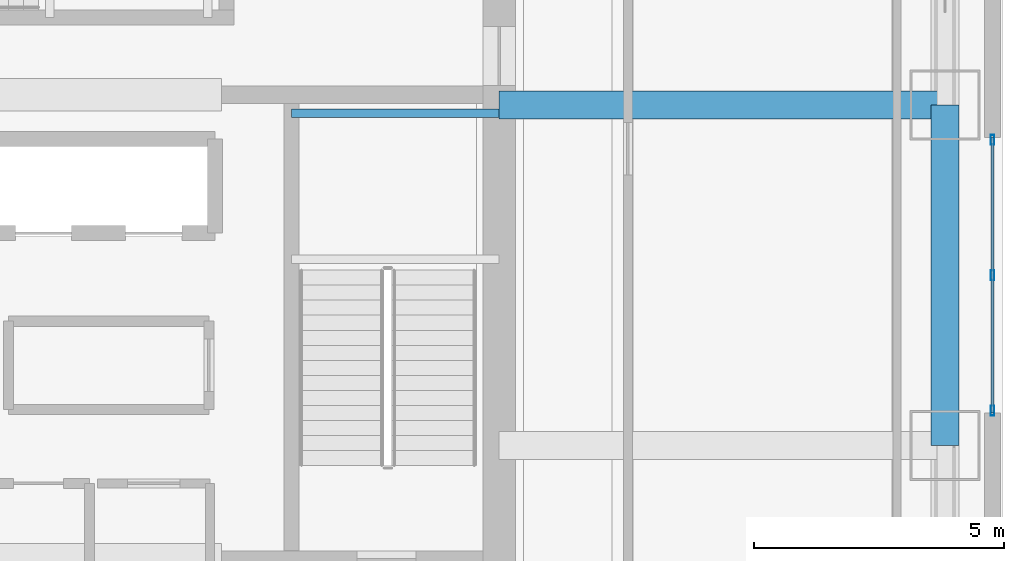
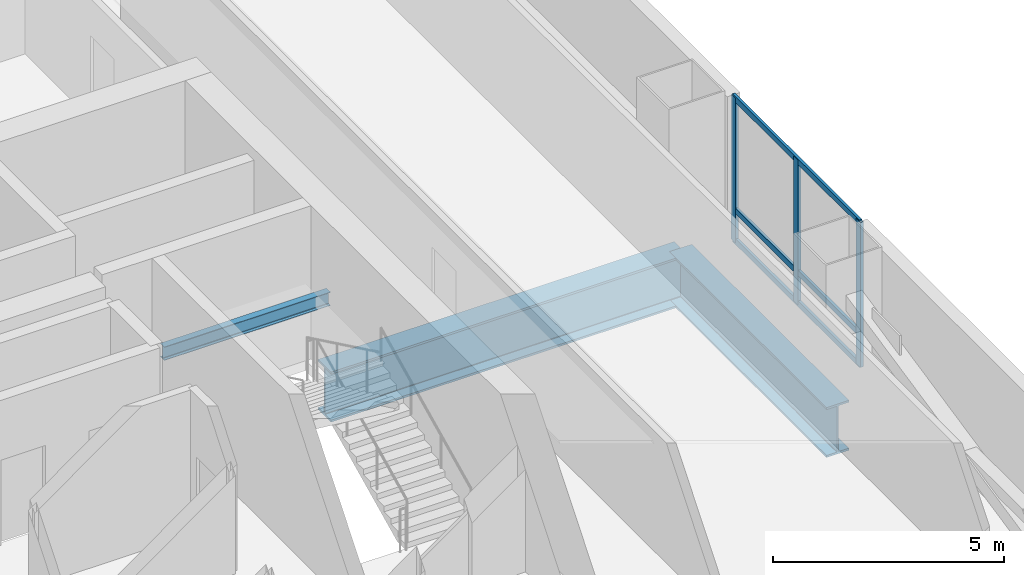
# One storey, part 5 of 29: 6 members, 3 beams, 1 element without a shape of its own.
"""IFC4 building model written with IfcOpenShell, lengths in metres."""

from ifc_helpers import new_model, si_unit, direction, frame, origin, origin_2d, place, context, subcontext, project, spatial, hollow_rectangle, i_section, extrude, material, material_profile, profile_set, type_object, element, aggregate, save


model = new_model("IFC4")

# Units and contexts
model_context = context("Model", 3, precision=1e-05, world=origin(), true_north=direction((0.0, 1.0)))
body_context = subcontext(model_context, "Body", "Model", "MODEL_VIEW")
ifc_project = project(units=[si_unit("LENGTHUNIT", "METRE"), si_unit("AREAUNIT", "SQUARE_METRE"), si_unit("VOLUMEUNIT", "CUBIC_METRE"), si_unit("PLANEANGLEUNIT", "RADIAN"), si_unit("MASSUNIT", "GRAM", prefix="KILO")], contexts=[model_context])

# Site, building, storey
site_placement = place(None, origin())
site = spatial("IfcSite", under=ifc_project, at=site_placement, CompositionType="ELEMENT")
building_placement = place(site_placement, origin())
building = spatial("IfcBuilding", under=site, at=building_placement, Name="Punatoya Terracotta Tower", CompositionType="ELEMENT")
storey_placement = place(building_placement, frame((0.0, 0.0, 172.199951171875)))
storey = spatial("IfcBuildingStorey", under=building, at=storey_placement, Name="L40", CompositionType="ELEMENT", Elevation=172.199951171875)

# Beams
ifc_material_1 = material(Name="Steel S355", Category="steel")
ifc_material_profile_1 = material_profile(ifc_material_1, i_section(OverallWidth=0.169921875, OverallDepth=0.360107421875, WebThickness=0.008056640625, FlangeThickness=0.0126953125, FilletRadius=0.01806640625, at=origin_2d()))
ifc_profile_set_1 = profile_set([ifc_material_profile_1], Name="Steel S355")
beam_type_1 = type_object("IfcBeamType", Name="BM-SEC-360", PredefinedType="JOIST", material=ifc_profile_set_1)
beam_1_placement = place(storey_placement, frame((6.050048828125, 3.22998046875, 1.64501953125), z_axis=(1.0, 0.0, 0.0), x_axis=(0.0, 1.0, 0.0)))
element("IfcBeam", 1, at=beam_1_placement, inside=storey, type_object=beam_type_1, Name="BM-L40-ST-2-LD1B", PredefinedType="JOIST", context=body_context, shape_type="SweptSolid", body=[
    extrude(i_section(OverallWidth=0.169921875, OverallDepth=0.360107421875, WebThickness=0.008056640625, FlangeThickness=0.0126953125, FilletRadius=0.01806640625, at=origin_2d()), origin(), (0.0, 0.0, 1.0), 4.14990234375),
])
ifc_material_2 = material(Name="Steel S460", Category="steel")
ifc_material_profile_2 = material_profile(ifc_material_2, i_section(OverallWidth=0.56005859375, OverallDepth=1.320068359375, WebThickness=0.035888671875, FlangeThickness=0.054931640625, FilletRadius=0.01806640625, at=origin_2d()))
ifc_profile_set_2 = profile_set([ifc_material_profile_2], Name="Steel S460")
beam_type_2 = type_object("IfcBeamType", Name="BM-TG-BLK", PredefinedType="BEAM", material=ifc_profile_set_2)
beam_2_placement = place(storey_placement, frame((19.10009765625, -3.39990234375, -0.93994140625), z_axis=(0.0, 1.0, 0.0), x_axis=(-1.0, 0.0, 0.0)))
element("IfcBeam", 2, at=beam_2_placement, inside=storey, type_object=beam_type_2, Name="BM-L40-RG-E2", PredefinedType="BEAM", context=body_context, shape_type="SweptSolid", body=[
    extrude(i_section(OverallWidth=0.56005859375, OverallDepth=1.320068359375, WebThickness=0.035888671875, FlangeThickness=0.054931640625, FilletRadius=0.01806640625, at=origin_2d()), origin(), (0.0, 0.0, 1.0), 6.7998046875),
])
beam_3_placement = place(storey_placement, frame((10.199951171875, 3.39990234375, -0.93994140625), z_axis=(1.0, 0.0, 0.0), x_axis=(0.0, 1.0, 0.0)))
element("IfcBeam", 3, at=beam_3_placement, inside=storey, type_object=beam_type_2, Name="BM-L40-PR-EE", PredefinedType="BEAM", context=body_context, shape_type="SweptSolid", body=[
    extrude(i_section(OverallWidth=0.56005859375, OverallDepth=1.320068359375, WebThickness=0.035888671875, FlangeThickness=0.054931640625, FilletRadius=0.01806640625, at=origin_2d()), origin(), (0.0, 0.0, 1.0), 8.900146484375),
])

# Curtain wall, members
ifc_material_3 = material(Name="Aluminium 6063-T6 + Double Low-E Glass", Category="aluminium")
curtain_wall_type = type_object("IfcCurtainWallType", Name="CW-M2", PredefinedType="NOTDEFINED", material=ifc_material_3)
curtain_wall_placement = place(storey_placement, origin())
curtain_wall = element("IfcCurtainWall", 4, at=curtain_wall_placement, inside=storey, type_object=curtain_wall_type, Name="L40 Curtain Wall CW-L40-E05-1", PredefinedType="NOTDEFINED")
ifc_material_4 = material(Name="Aluminium 6063-T6", Category="aluminium")
ifc_material_profile_3 = material_profile(ifc_material_4, hollow_rectangle(XDim=0.072021484375, YDim=0.195068359375, WallThickness=0.00439453125, at=origin_2d()))
ifc_profile_set_3 = profile_set([ifc_material_profile_3], Name="Aluminium 6063-T6")
member_type_1 = type_object("IfcMemberType", Name="CW-MUL-M2", PredefinedType="MULLION", material=ifc_profile_set_3)
member_1_placement = place(storey_placement, frame((20.050048828125, -2.705078125, 0.0), z_axis=(0.0, 0.0, 1.0), x_axis=(1.0, 0.0, 0.0)))
member_1 = element("IfcMember", 5, at=member_1_placement, type_object=member_type_1, Name="CW-L40-E05-1 Mullion 00", PredefinedType="MULLION", context=body_context, shape_type="SweptSolid", body=[
    extrude(hollow_rectangle(XDim=0.072021484375, YDim=0.195068359375, WallThickness=0.00439453125, at=origin_2d()), origin(), (0.0, 0.0, 1.0), 3.830078125),
])
member_2_placement = place(storey_placement, frame((20.050048828125, 0.0, 0.0), z_axis=(0.0, 0.0, 1.0), x_axis=(1.0, 0.0, 0.0)))
member_2 = element("IfcMember", 6, at=member_2_placement, type_object=member_type_1, Name="CW-L40-E05-1 Mullion 01", PredefinedType="MULLION", context=body_context, shape_type="SweptSolid", body=[
    extrude(hollow_rectangle(XDim=0.072021484375, YDim=0.195068359375, WallThickness=0.00439453125, at=origin_2d()), origin(), (0.0, 0.0, 1.0), 3.830078125),
])
member_3_placement = place(storey_placement, frame((20.050048828125, 2.705078125, 0.0), z_axis=(0.0, 0.0, 1.0), x_axis=(1.0, 0.0, 0.0)))
member_3 = element("IfcMember", 7, at=member_3_placement, type_object=member_type_1, Name="CW-L40-E05-1 Mullion 02", PredefinedType="MULLION", context=body_context, shape_type="SweptSolid", body=[
    extrude(hollow_rectangle(XDim=0.072021484375, YDim=0.195068359375, WallThickness=0.00439453125, at=origin_2d()), origin(), (0.0, 0.0, 1.0), 3.830078125),
])
ifc_material_profile_4 = material_profile(ifc_material_4, hollow_rectangle(XDim=0.068115234375, YDim=0.14990234375, WallThickness=0.00390625, at=origin_2d()))
ifc_profile_set_4 = profile_set([ifc_material_profile_4], Name="Aluminium 6063-T6")
member_type_2 = type_object("IfcMemberType", Name="CW-TRN-TYP", PredefinedType="USERDEFINED", material=ifc_profile_set_4)
member_4_placement = place(storey_placement, frame((20.050048828125, -2.75, 0.0400390625), z_axis=(0.0, 1.0, 0.0), x_axis=(-1.0, 0.0, 0.0)))
member_4 = element("IfcMember", 8, at=member_4_placement, type_object=member_type_2, Name="CW-L40-E05-1 Transom 1", ObjectType="TRANSOM", PredefinedType="USERDEFINED", context=body_context, shape_type="SweptSolid", body=[
    extrude(hollow_rectangle(XDim=0.068115234375, YDim=0.14990234375, WallThickness=0.00390625, at=origin_2d()), origin(), (0.0, 0.0, 1.0), 5.5),
])
member_5_placement = place(storey_placement, frame((20.050048828125, -2.75, 0.85009765625), z_axis=(0.0, 1.0, 0.0), x_axis=(-1.0, 0.0, 0.0)))
member_5 = element("IfcMember", 9, at=member_5_placement, type_object=member_type_2, Name="CW-L40-E05-1 Transom 2", ObjectType="TRANSOM", PredefinedType="USERDEFINED", context=body_context, shape_type="SweptSolid", body=[
    extrude(hollow_rectangle(XDim=0.068115234375, YDim=0.14990234375, WallThickness=0.00390625, at=origin_2d()), origin(), (0.0, 0.0, 1.0), 5.5),
])
member_6_placement = place(storey_placement, frame((20.050048828125, -2.75, 3.7900390625), z_axis=(0.0, 1.0, 0.0), x_axis=(-1.0, 0.0, 0.0)))
member_6 = element("IfcMember", 10, at=member_6_placement, type_object=member_type_2, Name="CW-L40-E05-1 Transom 3", ObjectType="TRANSOM", PredefinedType="USERDEFINED", context=body_context, shape_type="SweptSolid", body=[
    extrude(hollow_rectangle(XDim=0.068115234375, YDim=0.14990234375, WallThickness=0.00390625, at=origin_2d()), origin(), (0.0, 0.0, 1.0), 5.5),
])
aggregate(curtain_wall, [member_1, member_2, member_3, member_4, member_5, member_6])

save(model, "model.ifc")
